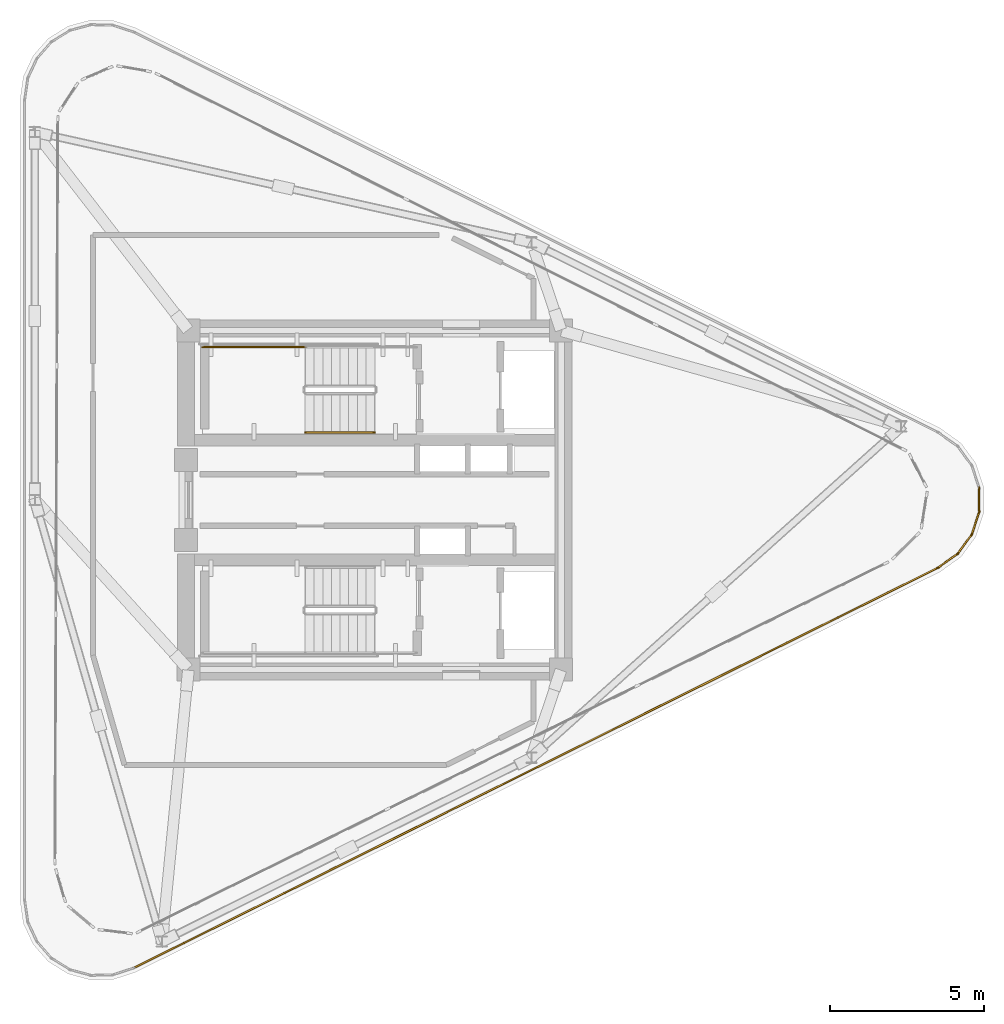
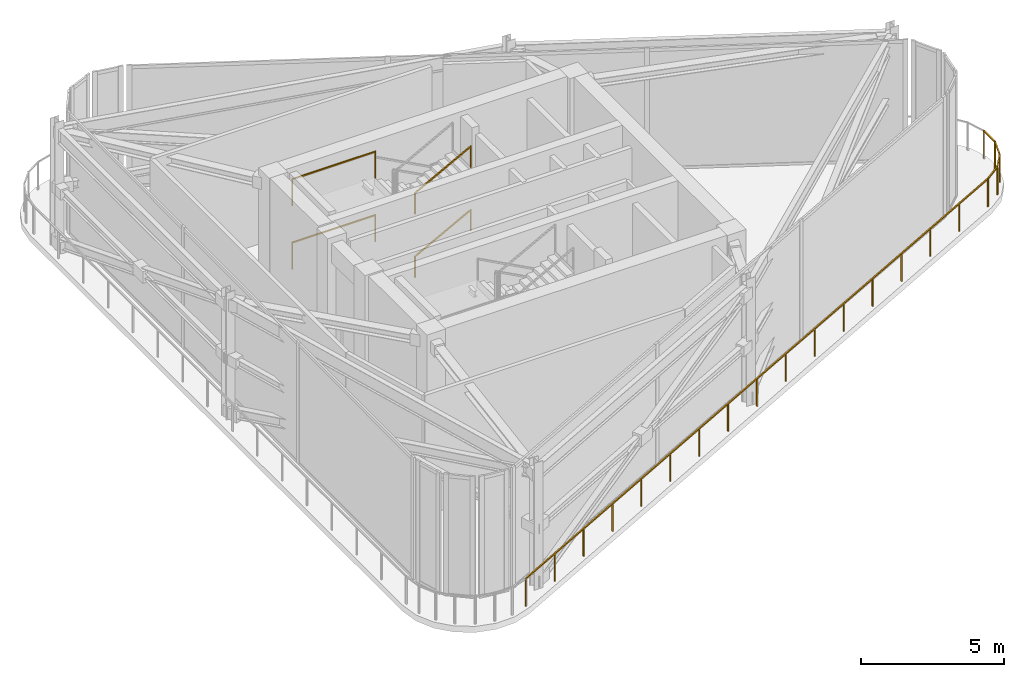
# One storey, part 7 of 9: 9 railings.
"""IFC4 building model written with IfcOpenShell, lengths in metres."""

from ifc_helpers import new_model, si_unit, direction, frame, origin, origin_2d, place, context, subcontext, project, spatial, rectangle, extrude, material, type_object, element, save


model = new_model("IFC4")

# Units and contexts
model_context = context("Model", 3, precision=1e-05, world=origin(), true_north=direction((0.0, 1.0)))
body_context = subcontext(model_context, "Body", "Model", "MODEL_VIEW")
ifc_project = project(units=[si_unit("LENGTHUNIT", "METRE"), si_unit("AREAUNIT", "SQUARE_METRE"), si_unit("VOLUMEUNIT", "CUBIC_METRE"), si_unit("PLANEANGLEUNIT", "RADIAN"), si_unit("MASSUNIT", "GRAM", prefix="KILO")], contexts=[model_context])

# Site, building, storey
site_placement = place(None, origin())
site = spatial("IfcSite", under=ifc_project, at=site_placement, CompositionType="ELEMENT")
building_placement = place(site_placement, origin())
building = spatial("IfcBuilding", under=site, at=building_placement, Name="Yunling Apex Tower", CompositionType="ELEMENT")
storey_placement = place(building_placement, frame((0.0, 0.0, 317.449951171875)))
storey = spatial("IfcBuildingStorey", under=building, at=storey_placement, Name="C01", CompositionType="ELEMENT", Elevation=317.449951171875)

# Railings
ifc_material_1 = material(Name="Bronze anodised aluminium", Category="aluminium")
railing_type_1 = type_object("IfcRailingType", Name="RL-BAL-1200", PredefinedType="BALUSTRADE", material=ifc_material_1)
railing_1_placement = place(storey_placement, frame((19.62109375, 0.401123046875, 0.0)))
element("IfcRailing", 1, at=railing_1_placement, inside=storey, type_object=railing_type_1, Name="RL-CRN-PERIM-C01-13", PredefinedType="BALUSTRADE", context=body_context, shape_type="SweptSolid", body=[
    extrude(rectangle(XDim=0.0439453125, YDim=0.0439453125, at=origin_2d()), origin(), (0.0, 0.0, 1.0), 1.199951171875),
    extrude(rectangle(XDim=0.0439453125, YDim=0.0439453125, at=origin_2d()), frame((0.0, -0.80224609375, 0.0)), (0.0, 0.0, 1.0), 1.199951171875),
    extrude(rectangle(XDim=0.050048828125, YDim=0.050048828125, at=origin_2d()), frame((0.0, -0.038330078125, 1.1748046875), z_axis=(0.0, -1.0, 0.0), x_axis=(1.0, 0.0, 0.0)), (0.0, 0.0, 1.0), 0.7255859375),
])
railing_2_placement = place(storey_placement, frame((19.625732421875, -0.3720703125, 0.0)))
element("IfcRailing", 2, at=railing_2_placement, inside=storey, type_object=railing_type_1, Name="RL-CRN-PERIM-C01-14", PredefinedType="BALUSTRADE", context=body_context, shape_type="SweptSolid", body=[
    extrude(rectangle(XDim=0.0439453125, YDim=0.0439453125, at=origin_2d()), origin(), (0.0, 0.0, 1.0), 1.199951171875),
    extrude(rectangle(XDim=0.0439453125, YDim=0.0439453125, at=origin_2d()), frame((-0.250244140625, -0.762451171875, 0.0)), (0.0, 0.0, 1.0), 1.199951171875),
    extrude(rectangle(XDim=0.050048828125, YDim=0.050048828125, at=origin_2d()), frame((-0.011962890625, -0.036376953125, 1.1748046875), z_axis=(-0.311843374953, -0.950133521931, 0.0), x_axis=(0.950133521931, -0.311843374953, 0.0)), (0.0, 0.0, 1.0), 0.725830078125),
])
railing_3_placement = place(storey_placement, frame((19.38916015625, -1.108154296875, 0.0)))
element("IfcRailing", 3, at=railing_3_placement, inside=storey, type_object=railing_type_1, Name="RL-CRN-PERIM-C01-15", PredefinedType="BALUSTRADE", context=body_context, shape_type="SweptSolid", body=[
    extrude(rectangle(XDim=0.0439453125, YDim=0.0439453125, at=origin_2d()), origin(), (0.0, 0.0, 1.0), 1.199951171875),
    extrude(rectangle(XDim=0.0439453125, YDim=0.0439453125, at=origin_2d()), frame((-0.47509765625, -0.646728515625, 0.0)), (0.0, 0.0, 1.0), 1.199951171875),
    extrude(rectangle(XDim=0.050048828125, YDim=0.050048828125, at=origin_2d()), frame((-0.022705078125, -0.031005859375, 1.1748046875), z_axis=(-0.592036110298, -0.805911436886, 0.0), x_axis=(0.805911436886, -0.592036110298, 0.0)), (0.0, 0.0, 1.0), 0.725830078125),
])
railing_4_placement = place(storey_placement, frame((18.93505859375, -1.73388671875, 0.0)))
element("IfcRailing", 4, at=railing_4_placement, inside=storey, type_object=railing_type_1, Name="RL-CRN-PERIM-C01-16", PredefinedType="BALUSTRADE", context=body_context, shape_type="SweptSolid", body=[
    extrude(rectangle(XDim=0.0439453125, YDim=0.0439453125, at=origin_2d()), origin(), (0.0, 0.0, 1.0), 1.199951171875),
    extrude(rectangle(XDim=0.0439453125, YDim=0.0439453125, at=origin_2d()), frame((-0.662841796875, -0.473388671875, 0.0)), (0.0, 0.0, 1.0), 1.199951171875),
    extrude(rectangle(XDim=0.050048828125, YDim=0.050048828125, at=origin_2d()), frame((-0.03125, -0.022216796875, 1.1748046875), z_axis=(-0.813773973635, -0.581181486143, 0.0), x_axis=(0.581181486143, -0.813773973635, 0.0)), (0.0, 0.0, 1.0), 0.73779296875),
])
railing_5_placement = place(storey_placement, frame((18.2978515625, -2.19189453125, 0.0)))
element("IfcRailing", 5, at=railing_5_placement, inside=storey, type_object=railing_type_1, Name="RL-CRN-PERIM-C01-17", PredefinedType="BALUSTRADE", context=body_context, shape_type="SweptSolid", body=[
    extrude(rectangle(XDim=0.0439453125, YDim=0.0439453125, at=origin_2d()), origin(), (0.0, 0.0, 1.0), 1.199951171875),
    extrude(rectangle(XDim=0.0439453125, YDim=0.0439453125, at=origin_2d()), frame((-26.129150390625, -13.0048828125, 0.0)), (0.0, 0.0, 1.0), 1.199951171875),
    extrude(rectangle(XDim=0.050048828125, YDim=0.050048828125, at=origin_2d()), frame((-0.034423828125, -0.01708984375, 1.1748046875), z_axis=(-0.895243772907, -0.445576690448, 0.0), x_axis=(0.445576690448, -0.895243772907, 0.0)), (0.0, 0.0, 1.0), 29.10986328125),
    extrude(rectangle(XDim=0.0439453125, YDim=0.0439453125, at=origin_2d()), frame((-1.633056640625, -0.812744140625, 0.0)), (0.0, 0.0, 1.0), 1.14599609375),
    extrude(rectangle(XDim=0.0439453125, YDim=0.0439453125, at=origin_2d()), frame((-3.26611328125, -1.62548828125, 0.0)), (0.0, 0.0, 1.0), 1.14599609375),
    extrude(rectangle(XDim=0.0439453125, YDim=0.0439453125, at=origin_2d()), frame((-4.899169921875, -2.4384765625, 0.0)), (0.0, 0.0, 1.0), 1.14599609375),
    extrude(rectangle(XDim=0.0439453125, YDim=0.0439453125, at=origin_2d()), frame((-6.5322265625, -3.251220703125, 0.0)), (0.0, 0.0, 1.0), 1.14599609375),
    extrude(rectangle(XDim=0.0439453125, YDim=0.0439453125, at=origin_2d()), frame((-8.165283203125, -4.06396484375, 0.0)), (0.0, 0.0, 1.0), 1.14599609375),
    extrude(rectangle(XDim=0.0439453125, YDim=0.0439453125, at=origin_2d()), frame((-9.79833984375, -4.876953125, 0.0)), (0.0, 0.0, 1.0), 1.14599609375),
    extrude(rectangle(XDim=0.0439453125, YDim=0.0439453125, at=origin_2d()), frame((-11.431396484375, -5.689697265625, 0.0)), (0.0, 0.0, 1.0), 1.14599609375),
    extrude(rectangle(XDim=0.0439453125, YDim=0.0439453125, at=origin_2d()), frame((-13.064453125, -6.50244140625, 0.0)), (0.0, 0.0, 1.0), 1.14599609375),
    extrude(rectangle(XDim=0.0439453125, YDim=0.0439453125, at=origin_2d()), frame((-14.69775390625, -7.315185546875, 0.0)), (0.0, 0.0, 1.0), 1.14599609375),
    extrude(rectangle(XDim=0.0439453125, YDim=0.0439453125, at=origin_2d()), frame((-16.330810546875, -8.1279296875, 0.0)), (0.0, 0.0, 1.0), 1.14599609375),
    extrude(rectangle(XDim=0.0439453125, YDim=0.0439453125, at=origin_2d()), frame((-17.9638671875, -8.94091796875, 0.0)), (0.0, 0.0, 1.0), 1.14599609375),
    extrude(rectangle(XDim=0.0439453125, YDim=0.0439453125, at=origin_2d()), frame((-19.596923828125, -9.753662109375, 0.0)), (0.0, 0.0, 1.0), 1.14599609375),
    extrude(rectangle(XDim=0.0439453125, YDim=0.0439453125, at=origin_2d()), frame((-21.22998046875, -10.56640625, 0.0)), (0.0, 0.0, 1.0), 1.14599609375),
    extrude(rectangle(XDim=0.0439453125, YDim=0.0439453125, at=origin_2d()), frame((-22.863037109375, -11.37939453125, 0.0)), (0.0, 0.0, 1.0), 1.14599609375),
    extrude(rectangle(XDim=0.0439453125, YDim=0.0439453125, at=origin_2d()), frame((-24.49609375, -12.192138671875, 0.0)), (0.0, 0.0, 1.0), 1.14599609375),
])
ifc_material_2 = material(Name="Steel Q355B", Category="steel")
railing_type_2 = type_object("IfcRailingType", Name="RL-GRD-1150", PredefinedType="GUARDRAIL", material=ifc_material_2)
for number, where, name in (
    (6, (-2.25, 4.9599609375, 1.35009765625), "C01 ST-1 stair guard 3"),
    (7, (-2.25, 4.9599609375, 4.050048828125), "C01 ST-1 stair guard 9"),
):
    element("IfcRailing", number, at=place(storey_placement, frame(where)), inside=storey, type_object=railing_type_2, Name=name, PredefinedType="GUARDRAIL", context=body_context, shape_type="SweptSolid", body=[
        extrude(rectangle(XDim=0.0439453125, YDim=0.0439453125, at=origin_2d()), origin(), (0.0, 0.0, 1.0), 1.14990234375),
        extrude(rectangle(XDim=0.0439453125, YDim=0.0439453125, at=origin_2d()), frame((-3.35009765625, 0.0, 0.0)), (0.0, 0.0, 1.0), 1.14990234375),
        extrude(rectangle(XDim=0.050048828125, YDim=0.050048828125, at=origin_2d()), frame((-0.038330078125, 0.0, 1.125), z_axis=(-1.0, 0.0, 0.0), x_axis=(0.0, -1.0, 0.0)), (0.0, 0.0, 1.0), 3.2734375),
    ])
ifc_material_3 = material(Name="Silver anodised aluminium", Category="aluminium")
railing_type_3 = type_object("IfcRailingType", Name="RL-HND-900", PredefinedType="HANDRAIL", material=ifc_material_3)
railing_6_placement = place(storey_placement, frame((-2.25, 2.18994140625, 1.5)))
element("IfcRailing", 8, at=railing_6_placement, inside=storey, type_object=railing_type_3, Name="C01 ST-1 stair handrail 2", PredefinedType="HANDRAIL", context=body_context, shape_type="SweptSolid", body=[
    extrude(rectangle(XDim=0.0439453125, YDim=0.0439453125, at=origin_2d()), origin(), (0.0, 0.0, 1.0), 0.919921875),
    extrude(rectangle(XDim=0.0439453125, YDim=0.0439453125, at=origin_2d()), frame((2.239990234375, 0.0, 1.199951171875)), (0.0, 0.0, 1.0), 0.919921875),
    extrude(rectangle(XDim=0.050048828125, YDim=0.050048828125, at=origin_2d()), frame((0.03369140625, 0.0, 0.9130859375), z_axis=(0.881487111273, 0.0, 0.472208081951), x_axis=(0.0, 1.0, 0.0)), (0.0, 0.0, 1.0), 2.464599609375),
])
railing_7_placement = place(storey_placement, frame((-2.25, 2.18994140625, 4.199951171875)))
element("IfcRailing", 9, at=railing_7_placement, inside=storey, type_object=railing_type_3, Name="C01 ST-1 stair handrail 4", PredefinedType="HANDRAIL", context=body_context, shape_type="SweptSolid", body=[
    extrude(rectangle(XDim=0.0439453125, YDim=0.0439453125, at=origin_2d()), origin(), (0.0, 0.0, 1.0), 0.919921875),
    extrude(rectangle(XDim=0.0439453125, YDim=0.0439453125, at=origin_2d()), frame((2.239990234375, 0.0, 1.2001953125)), (0.0, 0.0, 1.0), 0.919921875),
    extrude(rectangle(XDim=0.050048828125, YDim=0.050048828125, at=origin_2d()), frame((0.03369140625, 0.0, 0.9130859375), z_axis=(0.881447119201, 0.0, 0.472282728937), x_axis=(0.0, 1.0, 0.0)), (0.0, 0.0, 1.0), 2.464599609375),
])

save(model, "model.ifc")
